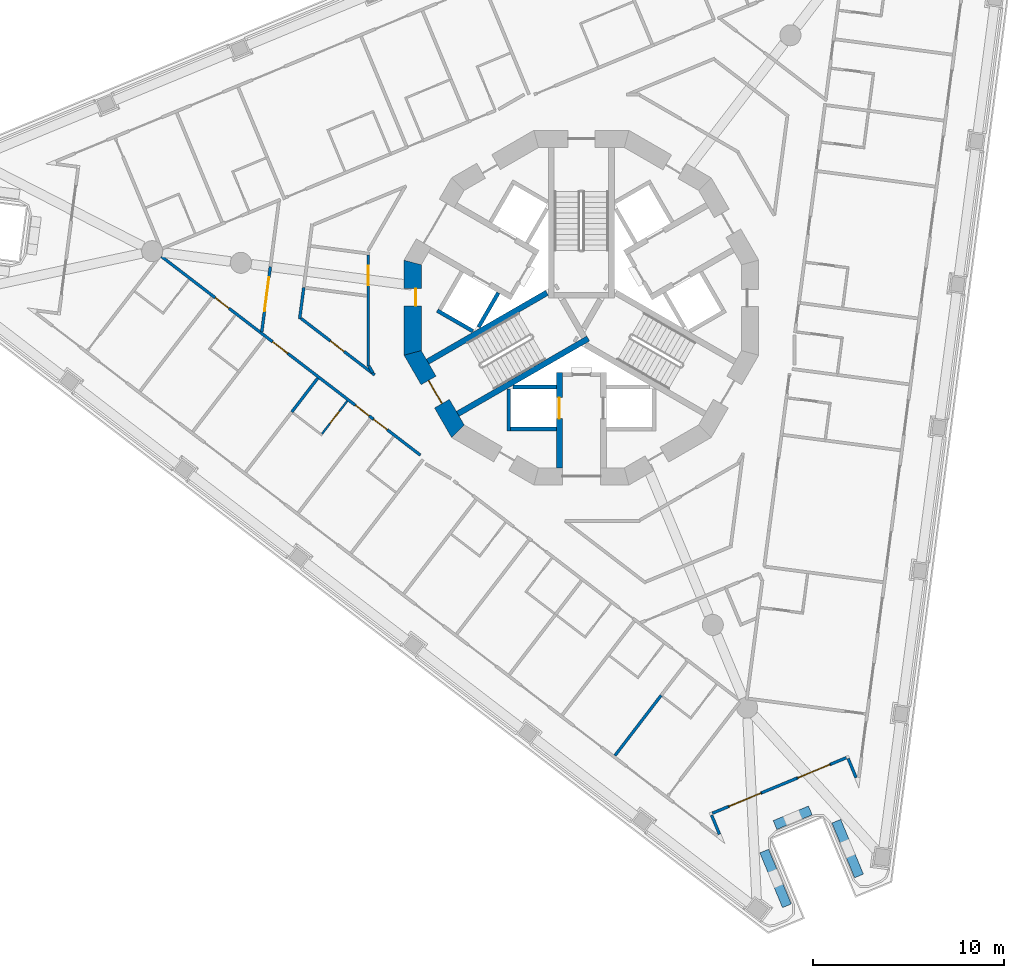
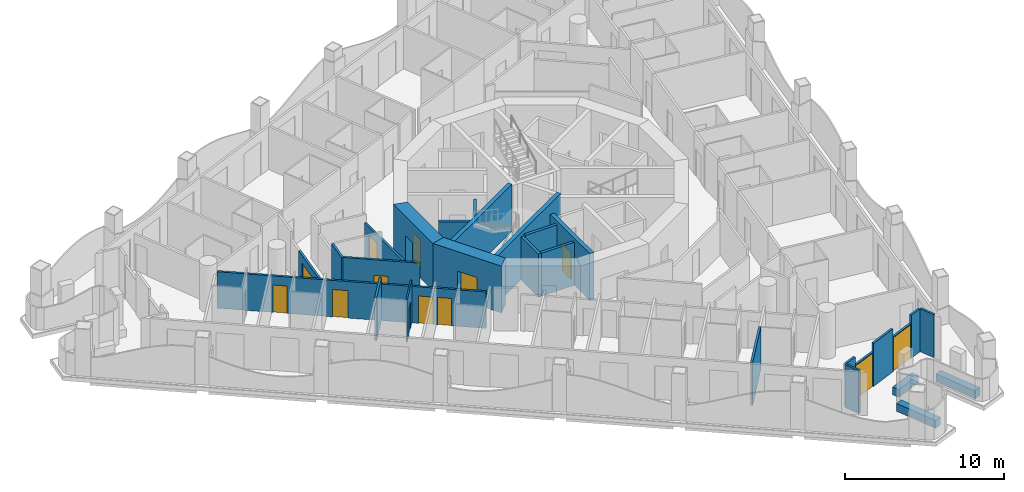
# One storey, part 3 of 17: 29 walls, 13 doors, 13 openings.
"""IFC4 building model written with IfcOpenShell, lengths in metres."""

from ifc_helpers import new_model, si_unit, direction, frame, frame_2d, origin, place, context, subcontext, project, spatial, polyline, rectangle, outline, extrude, material, layer, layer_set, type_object, element, fill, save


model = new_model("IFC4")

# Units and contexts
model_context = context("Model", 3, precision=1e-05, world=origin(), true_north=direction((0.0, 1.0)))
body_context = subcontext(model_context, "Body", "Model", "MODEL_VIEW")
ifc_project = project(units=[si_unit("LENGTHUNIT", "METRE"), si_unit("AREAUNIT", "SQUARE_METRE"), si_unit("VOLUMEUNIT", "CUBIC_METRE"), si_unit("PLANEANGLEUNIT", "RADIAN"), si_unit("MASSUNIT", "GRAM", prefix="KILO")], contexts=[model_context])

# Site, building, storey
site_placement = place(None, origin())
site = spatial("IfcSite", under=ifc_project, at=site_placement, CompositionType="ELEMENT")
building_placement = place(site_placement, origin())
building = spatial("IfcBuilding", under=site, at=building_placement, Name="Trine Commons Tower", CompositionType="ELEMENT")
storey_placement = place(building_placement, frame((0.0, 0.0, 149.39990234375)))
storey = spatial("IfcBuildingStorey", under=building, at=storey_placement, Name="L38", CompositionType="ELEMENT", Elevation=149.39990234375)

# Walls
ifc_material_1 = material(Name="Aluminium-framed insulated wall panel", Category="aluminium")
ifc_layer_1 = layer(ifc_material_1, 0.14990234375)
ifc_layer_set_1 = layer_set([ifc_layer_1], Name="Aluminium-framed insulated wall panel")
wall_type_1 = type_object("IfcWallType", Name="Glazed frame wall 150, EI 60", PredefinedType="SOLIDWALL", material=ifc_layer_set_1)
wall_1_placement = place(storey_placement, frame((94.42041015625, 37.78564453125, 0.0), z_axis=(0.0, 0.0, 1.0), x_axis=(-0.382629665579, 0.923901801611, 0.0)))
element("IfcWall", 1, at=wall_1_placement, inside=storey, type_object=wall_type_1, Name="Glazed frame wall R9", PredefinedType="SOLIDWALL", context=body_context, shape_type="SweptSolid", body=[
    extrude(outline(polyline([(0.1494140625, 0.074951171875), (0.1494140625, -0.074951171875), (1.235107421875, -0.074951171875), (1.235107421875, 0.074951171875), (0.1494140625, 0.074951171875)])), origin(), (0.0, 0.0, 1.0), 3.300048828125),
])
wall_2_placement = place(storey_placement, frame((93.951416015625, 39.009521484375, 0.0), z_axis=(0.0, 0.0, 1.0), x_axis=(-0.923826362943, -0.382811769845, 0.0)))
element("IfcWall", 2, at=wall_2_placement, inside=storey, type_object=wall_type_1, Name="Glazed frame wall P3.1", PredefinedType="SOLIDWALL", context=body_context, shape_type="SweptSolid", body=[
    extrude(outline(polyline([(0.110107421875, -0.074951171875), (1.0, -0.074951171875), (1.0, 0.074951171875), (0.110107421875, 0.074951171875), (0.110107421875, -0.074951171875)])), origin(), (0.0, 0.0, 1.0), 3.300048828125),
])

# Wall, opening, door
wall_3_placement = place(storey_placement, frame((93.027587890625, 38.626708984375, 0.0), z_axis=(0.0, 0.0, 1.0), x_axis=(-0.923888414498, -0.382661988648, 0.0)))
wall_3 = element("IfcWall", 3, at=wall_3_placement, inside=storey, type_object=wall_type_1, Name="Glazed frame wall P3.2", PredefinedType="SOLIDWALL", context=body_context, shape_type="SweptSolid", body=[
    extrude(outline(polyline([(0.0, -0.074951171875), (1.89990234375, -0.074951171875), (1.89990234375, 0.074951171875), (0.0, 0.074951171875), (0.0, -0.074951171875)])), origin(), (0.0, 0.0, 1.0), 2.650146484375),
])
opening_1_placement = place(wall_3_placement, frame((0.050048828125, 0.0, 0.0)))
opening_1 = element("IfcOpeningElement", 4, at=opening_1_placement, cuts=wall_3, Name="Opening BD-4P3-01", PredefinedType="OPENING", context=body_context, shape_type="SweptSolid", body=[
    extrude(rectangle(XDim=1.800048828125, YDim=2.60009765625, at=frame_2d((0.89990234375, 1.300048828125))), frame((0.0, 0.0849609375, 0.0), z_axis=(0.0, -1.0, 0.0), x_axis=(1.0, 0.0, 0.0)), (0.0, 0.0, 1.0), 0.169921875),
])
ifc_material_2 = material(Name="Anodised aluminium frame with double glazing", Category="aluminium")
door_type_1 = type_object("IfcDoorType", Name="Sliding loggia door 1800x2600", OperationType="SLIDING_TO_LEFT", PredefinedType="DOOR", material=ifc_material_2)
door_1_placement = place(opening_1_placement, origin())
door_1 = element("IfcDoor", 5, at=door_1_placement, inside=storey, type_object=door_type_1, Name="Loggia door P3 1", OperationType="SLIDING_TO_LEFT", OverallHeight=2.60009765625, OverallWidth=1.800048828125, PredefinedType="DOOR", context=body_context, shape_type="SweptSolid", body=[
    extrude(rectangle(XDim=1.800048828125, YDim=2.60009765625, at=frame_2d((0.89990234375, 1.300048828125))), frame((0.0, 0.02490234375, 0.0), z_axis=(0.0, -1.0, 0.0), x_axis=(1.0, 0.0, 0.0)), (0.0, 0.0, 1.0), 0.050048828125),
])
fill(opening_1, door_1)

# Wall
wall_4_placement = place(storey_placement, frame((91.272216796875, 37.899658203125, 0.0), z_axis=(0.0, 0.0, 1.0), x_axis=(-0.923887406181, -0.382664423091, 0.0)))
element("IfcWall", 6, at=wall_4_placement, inside=storey, type_object=wall_type_1, Name="Glazed frame wall P3.3", PredefinedType="SOLIDWALL", context=body_context, shape_type="SweptSolid", body=[
    extrude(outline(polyline([(0.0, -0.074951171875), (2.0, -0.074951171875), (2.0, 0.074951171875), (0.0, 0.074951171875), (0.0, -0.074951171875)])), origin(), (0.0, 0.0, 1.0), 3.300048828125),
])

# Wall, opening, door
wall_5_placement = place(storey_placement, frame((89.42431640625, 37.13427734375, 0.0), z_axis=(0.0, 0.0, 1.0), x_axis=(-0.923869595408, -0.382707421773, 0.0)))
wall_5 = element("IfcWall", 7, at=wall_5_placement, inside=storey, type_object=wall_type_1, Name="Glazed frame wall P3.4", PredefinedType="SOLIDWALL", context=body_context, shape_type="SweptSolid", body=[
    extrude(outline(polyline([(0.0, -0.074951171875), (1.89990234375, -0.074951171875), (1.89990234375, 0.074951171875), (0.0, 0.074951171875), (0.0, -0.074951171875)])), origin(), (0.0, 0.0, 1.0), 2.650146484375),
])
opening_2_placement = place(wall_5_placement, frame((0.050048828125, 0.0, 0.0)))
opening_2 = element("IfcOpeningElement", 8, at=opening_2_placement, cuts=wall_5, Name="Opening BD-4P3-02", PredefinedType="OPENING", context=body_context, shape_type="SweptSolid", body=[
    extrude(rectangle(XDim=1.800048828125, YDim=2.60009765625, at=frame_2d((0.89990234375, 1.300048828125))), frame((0.0, 0.0849609375, 0.0), z_axis=(0.0, -1.0, 0.0), x_axis=(1.0, 0.0, 0.0)), (0.0, 0.0, 1.0), 0.169921875),
])
door_2_placement = place(opening_2_placement, origin())
door_2 = element("IfcDoor", 9, at=door_2_placement, inside=storey, type_object=door_type_1, Name="Loggia door P3 2", OperationType="SLIDING_TO_LEFT", OverallHeight=2.60009765625, OverallWidth=1.800048828125, PredefinedType="DOOR", context=body_context, shape_type="SweptSolid", body=[
    extrude(rectangle(XDim=1.800048828125, YDim=2.60009765625, at=frame_2d((0.89990234375, 1.300048828125))), frame((0.0, 0.02490234375, 0.0), z_axis=(0.0, -1.0, 0.0), x_axis=(1.0, 0.0, 0.0)), (0.0, 0.0, 1.0), 0.050048828125),
])
fill(opening_2, door_2)

# Walls
wall_6_placement = place(storey_placement, frame((87.669189453125, 36.4072265625, 0.0), z_axis=(0.0, 0.0, 1.0), x_axis=(-0.923862128325, -0.382725447084, 0.0)))
element("IfcWall", 10, at=wall_6_placement, inside=storey, type_object=wall_type_1, Name="Glazed frame wall P3.5", PredefinedType="SOLIDWALL", context=body_context, shape_type="SweptSolid", body=[
    extrude(outline(polyline([(0.889892578125, 0.074951171875), (0.0, 0.074951171875), (0.0, -0.074951171875), (0.889892578125, -0.074951171875), (0.889892578125, 0.074951171875)])), origin(), (0.0, 0.0, 1.0), 3.300048828125),
])
wall_7_placement = place(storey_placement, frame((86.76416015625, 36.0703125, 0.0), z_axis=(0.0, 0.0, 1.0), x_axis=(0.382629665579, -0.923901801611, 0.0)))
element("IfcWall", 11, at=wall_7_placement, inside=storey, type_object=wall_type_1, Name="Glazed frame wall R11", PredefinedType="SOLIDWALL", context=body_context, shape_type="SweptSolid", body=[
    extrude(outline(polyline([(0.110107421875, 0.074951171875), (0.110107421875, -0.074951171875), (1.19580078125, -0.074951171875), (1.19580078125, 0.074951171875), (0.110107421875, 0.074951171875)])), origin(), (0.0, 0.0, 1.0), 3.300048828125),
])
ifc_material_3 = material(Name="Planter trough, precast concrete C40/50", Category="concrete")
ifc_layer_2 = layer(ifc_material_3, 0.5)
ifc_layer_set_2 = layer_set([ifc_layer_2], Name="Planter trough, precast concrete C40/50")
wall_type_2 = type_object("IfcWallType", Name="Planter trough 500x600", PredefinedType="PARAPET", material=ifc_layer_set_2)
wall_8_placement = place(storey_placement, frame((94.515625, 32.78662109375, 0.0), z_axis=(0.0, 0.0, 1.0), x_axis=(-0.382674068277, 0.923883411188, 0.0)))
element("IfcWall", 12, at=wall_8_placement, inside=storey, type_object=wall_type_2, Name="Planter 7", PredefinedType="PARAPET", context=body_context, shape_type="SweptSolid", body=[
    extrude(rectangle(XDim=3.099853515625, YDim=0.5, at=frame_2d((1.5498046875, 0.0))), origin(), (0.0, 0.0, 1.0), 0.60009765625),
])
wall_9_placement = place(storey_placement, frame((91.970703125, 36.21337890625, 0.0), z_axis=(0.0, 0.0, 1.0), x_axis=(-0.923930555985, -0.382560227567, 0.0)))
element("IfcWall", 13, at=wall_9_placement, inside=storey, type_object=wall_type_2, Name="Planter 8", PredefinedType="PARAPET", context=body_context, shape_type="SweptSolid", body=[
    extrude(rectangle(XDim=2.0, YDim=0.5, at=frame_2d((1.0, 0.0))), origin(), (0.0, 0.0, 1.0), 0.60009765625),
])
wall_10_placement = place(storey_placement, frame((89.56005859375, 34.08935546875, 0.0), z_axis=(0.0, 0.0, 1.0), x_axis=(0.382674068277, -0.923883411188, 0.0)))
element("IfcWall", 14, at=wall_10_placement, inside=storey, type_object=wall_type_2, Name="Planter 9", PredefinedType="PARAPET", context=body_context, shape_type="SweptSolid", body=[
    extrude(rectangle(XDim=3.099853515625, YDim=0.5, at=frame_2d((1.5498046875, 0.0))), origin(), (0.0, 0.0, 1.0), 0.60009765625),
])

# Wall, opening, door
ifc_material_4 = material(Name="Concrete C70/85", Category="concrete")
ifc_layer_3 = layer(ifc_material_4, 0.300048828125)
ifc_layer_set_3 = layer_set([ifc_layer_3], Name="Concrete C70/85")
wall_type_3 = type_object("IfcWallType", Name="RC shear wall 300 mm, C70/85", PredefinedType="SHEAR", material=ifc_layer_set_3)
wall_11_placement = place(storey_placement, frame((78.85009765625, 59.10009765625, 0.0), z_axis=(0.0, 0.0, 1.0), x_axis=(0.0, -1.0, 0.0)))
wall_11 = element("IfcWall", 15, at=wall_11_placement, inside=storey, type_object=wall_type_3, Name="Core cross wall SWB-03 L38", PredefinedType="SHEAR", context=body_context, shape_type="SweptSolid", body=[
    extrude(rectangle(XDim=4.97314453125, YDim=0.300048828125, at=frame_2d((2.486572265625, 0.0))), origin(), (0.0, 0.0, 1.0), 3.60009765625),
])
opening_3_placement = place(wall_11_placement, frame((1.300048828125, 0.0, 0.0)))
opening_3 = element("IfcOpeningElement", 16, at=opening_3_placement, cuts=wall_11, Name="Opening LD10", PredefinedType="OPENING", context=body_context, shape_type="SweptSolid", body=[
    extrude(rectangle(XDim=1.10009765625, YDim=2.10009765625, at=frame_2d((0.550048828125, 1.050048828125))), frame((0.0, 0.159912109375, 0.0), z_axis=(0.0, -1.0, 0.0), x_axis=(1.0, 0.0, 0.0)), (0.0, 0.0, 1.0), 0.320068359375),
])
ifc_material_5 = material(Name="Stainless steel sliding door leaves", Category="steel")
door_type_2 = type_object("IfcDoorType", Name="Lift landing door, centre-opening sliding 1100 x 2100, FD90", OperationType="DOUBLE_DOOR_SLIDING", PredefinedType="DOOR", material=ifc_material_5)
door_3_placement = place(opening_3_placement, origin())
door_3 = element("IfcDoor", 17, at=door_3_placement, inside=storey, type_object=door_type_2, Name="Lift landing door FF2 L38", OperationType="DOUBLE_DOOR_SLIDING", OverallHeight=2.10009765625, OverallWidth=1.10009765625, PredefinedType="DOOR", context=body_context, shape_type="SweptSolid", body=[
    extrude(rectangle(XDim=1.10009765625, YDim=2.10009765625, at=frame_2d((0.550048828125, 1.050048828125))), frame((0.0, 0.02490234375, 0.0), z_axis=(0.0, -1.0, 0.0), x_axis=(1.0, 0.0, 0.0)), (0.0, 0.0, 1.0), 0.050048828125),
])
fill(opening_3, door_3)

# Walls
wall_12_placement = place(storey_placement, frame((78.199951171875, 63.280029296875, 0.0), z_axis=(0.0, 0.0, 1.0), x_axis=(-0.866028135082, -0.499995269223, 0.0)))
element("IfcWall", 18, at=wall_12_placement, inside=storey, type_object=wall_type_3, Name="Core cross wall SWB-07 L38", PredefinedType="SHEAR", context=body_context, shape_type="SweptSolid", body=[
    extrude(rectangle(XDim=7.2041015625, YDim=0.300048828125, at=frame_2d((3.60205078125, 0.0))), origin(), (0.0, 0.0, 1.0), 3.60009765625),
])
wall_13_placement = place(storey_placement, frame((80.35400390625, 60.885986328125, 0.0), z_axis=(0.0, 0.0, 1.0), x_axis=(-0.866047706748, -0.499961368145, 0.0)))
element("IfcWall", 19, at=wall_13_placement, inside=storey, type_object=wall_type_3, Name="Core cross wall SWB-14 L38", PredefinedType="SHEAR", context=body_context, shape_type="SweptSolid", body=[
    extrude(rectangle(XDim=7.87255859375, YDim=0.300048828125, at=frame_2d((3.936279296875, 0.0))), origin(), (0.0, 0.0, 1.0), 3.60009765625),
])

# Wall, opening, door
ifc_layer_4 = layer(ifc_material_4, 0.89990234375)
ifc_layer_set_4 = layer_set([ifc_layer_4], Name="Concrete C70/85")
wall_type_4 = type_object("IfcWallType", Name="RC shear wall 900 mm, C70/85", PredefinedType="SHEAR", material=ifc_layer_set_4)
wall_14_placement = place(storey_placement, frame((71.177001953125, 64.984619140625, 0.0), z_axis=(0.0, 0.0, 1.0), x_axis=(0.0, -1.0, 0.0)))
wall_14 = element("IfcWall", 20, at=wall_14_placement, inside=storey, type_object=wall_type_4, Name="Core wall CWD-07 L38", PredefinedType="SHEAR", context=body_context, shape_type="SweptSolid", body=[
    extrude(outline(polyline([(0.0, -0.449951171875), (4.969482421875, -0.449951171875), (4.728271484375, 0.449951171875), (0.2412109375, 0.449951171875), (0.0, -0.449951171875)])), origin(), (0.0, 0.0, 1.0), 3.60009765625),
])
opening_4_placement = place(wall_14_placement, frame((1.49365234375, 0.0, 0.0)))
opening_4 = element("IfcOpeningElement", 21, at=opening_4_placement, cuts=wall_14, Name="Opening K09.13", PredefinedType="OPENING", context=body_context, shape_type="SweptSolid", body=[
    extrude(rectangle(XDim=0.89990234375, YDim=2.10009765625, at=frame_2d((0.449951171875, 1.050048828125))), frame((0.0, 0.4599609375, 0.0), z_axis=(0.0, -1.0, 0.0), x_axis=(1.0, 0.0, 0.0)), (0.0, 0.0, 1.0), 0.919921875),
])
ifc_material_6 = material(Name="Steel door leaf, fire-rated", Category="steel")
door_type_3 = type_object("IfcDoorType", Name="Core room door, single leaf 900 x 2100, FD30S", OperationType="SINGLE_SWING_LEFT", PredefinedType="DOOR", material=ifc_material_6)
door_4_placement = place(opening_4_placement, origin())
door_4 = element("IfcDoor", 22, at=door_4_placement, inside=storey, type_object=door_type_3, Name="Door to Parcel store L38", OperationType="SINGLE_SWING_LEFT", OverallHeight=2.10009765625, OverallWidth=0.89990234375, PredefinedType="DOOR", context=body_context, shape_type="SweptSolid", body=[
    extrude(rectangle(XDim=0.89990234375, YDim=2.10009765625, at=frame_2d((0.449951171875, 1.050048828125))), frame((0.0, 0.1748046875, 0.0), z_axis=(0.0, -1.0, 0.0), x_axis=(1.0, 0.0, 0.0)), (0.0, 0.0, 1.0), 0.050048828125),
])
fill(opening_4, door_4)

wall_15_placement = place(storey_placement, frame((71.11669921875, 60.240234375, 0.0), z_axis=(0.0, 0.0, 1.0), x_axis=(0.500038571144, -0.866003133579, 0.0)))
wall_15 = element("IfcWall", 23, at=wall_15_placement, inside=storey, type_object=wall_type_4, Name="Core wall CWD-08 L38", PredefinedType="SHEAR", context=body_context, shape_type="SweptSolid", body=[
    extrude(outline(polyline([(0.0, -0.449951171875), (4.96923828125, -0.449951171875), (4.72802734375, 0.449951171875), (0.2412109375, 0.449951171875), (0.0, -0.449951171875)])), origin(), (0.0, 0.0, 1.0), 3.60009765625),
])
opening_5_placement = place(wall_15_placement, frame((1.78466796875, 0.0, 0.0)))
opening_5 = element("IfcOpeningElement", 24, at=opening_5_placement, cuts=wall_15, Name="Opening K09.02", PredefinedType="OPENING", context=body_context, shape_type="SweptSolid", body=[
    extrude(rectangle(XDim=1.39990234375, YDim=2.10009765625, at=frame_2d((0.699951171875, 1.050048828125))), frame((0.0, 0.4599609375, 0.0), z_axis=(0.0, -1.0, 0.0), x_axis=(1.0, 0.0, 0.0)), (0.0, 0.0, 1.0), 0.919921875),
])
ifc_material_7 = material(Name="Steel door leaves, fire-rated", Category="steel")
door_type_4 = type_object("IfcDoorType", Name="Stair door, double leaf 1400 x 2100, FD90", OperationType="DOUBLE_DOOR_SINGLE_SWING", PredefinedType="DOOR", material=ifc_material_7)
door_5_placement = place(opening_5_placement, origin())
door_5 = element("IfcDoor", 25, at=door_5_placement, inside=storey, type_object=door_type_4, Name="Stair door to Exit stair ST2B L38", OperationType="DOUBLE_DOOR_SINGLE_SWING", OverallHeight=2.10009765625, OverallWidth=1.39990234375, PredefinedType="DOOR", context=body_context, shape_type="SweptSolid", body=[
    extrude(rectangle(XDim=1.39990234375, YDim=2.10009765625, at=frame_2d((0.699951171875, 1.050048828125))), frame((0.0, 0.02490234375, 0.0), z_axis=(0.0, -1.0, 0.0), x_axis=(1.0, 0.0, 0.0)), (0.0, 0.0, 1.0), 0.050048828125),
])
fill(opening_5, door_5)

# Walls
ifc_material_8 = material(Name="Fire-rated gypsum shaft wall system")
ifc_layer_5 = layer(ifc_material_8, 0.199951171875)
ifc_layer_set_5 = layer_set([ifc_layer_5], Name="Fire-rated gypsum shaft wall system")
wall_type_5 = type_object("IfcWallType", Name="Shaft wall 200 mm, EI 120", PredefinedType="PARTITIONING", material=ifc_layer_set_5)
wall_16_placement = place(storey_placement, frame((74.324951171875, 61.27392578125, 0.0), z_axis=(0.0, 0.0, 1.0), x_axis=(-0.866102336459, 0.499866725018, 0.0)))
element("IfcWall", 26, at=wall_16_placement, inside=storey, type_object=wall_type_5, Name="Shaft wall L38", PredefinedType="PARTITIONING", context=body_context, shape_type="SweptSolid", body=[
    extrude(rectangle(XDim=2.1484375, YDim=0.199951171875, at=frame_2d((1.07421875, 0.0))), origin(), (0.0, 0.0, 1.0), 3.300048828125),
])
wall_17_placement = place(storey_placement, frame((75.656005859375, 63.27587890625, 0.0), z_axis=(0.0, 0.0, 1.0), x_axis=(-0.500271688072, -0.86586848777, 0.0)))
element("IfcWall", 27, at=wall_17_placement, inside=storey, type_object=wall_type_5, Name="Shaft wall L38", PredefinedType="PARTITIONING", context=body_context, shape_type="SweptSolid", body=[
    extrude(rectangle(XDim=2.064697265625, YDim=0.199951171875, at=frame_2d((1.0322265625, 0.0))), origin(), (0.0, 0.0, 1.0), 3.300048828125),
])
wall_18_placement = place(storey_placement, frame((76.199951171875, 58.257080078125, 0.0), z_axis=(0.0, 0.0, 1.0), x_axis=(0.0, -1.0, 0.0)))
element("IfcWall", 28, at=wall_18_placement, inside=storey, type_object=wall_type_5, Name="Shaft wall L38", PredefinedType="PARTITIONING", context=body_context, shape_type="SweptSolid", body=[
    extrude(rectangle(XDim=2.20703125, YDim=0.199951171875, at=frame_2d((1.103515625, 0.0))), origin(), (0.0, 0.0, 1.0), 3.300048828125),
])
wall_19_placement = place(storey_placement, frame((78.699951171875, 56.14990234375, 0.0), z_axis=(0.0, 0.0, 1.0), x_axis=(-1.0, 0.0, 0.0)))
element("IfcWall", 29, at=wall_19_placement, inside=storey, type_object=wall_type_5, Name="Shaft wall L38", PredefinedType="PARTITIONING", context=body_context, shape_type="SweptSolid", body=[
    extrude(rectangle(XDim=2.39990234375, YDim=0.199951171875, at=frame_2d((1.199951171875, 0.0))), origin(), (0.0, 0.0, 1.0), 3.300048828125),
])
wall_20_placement = place(storey_placement, frame((78.699951171875, 58.35009765625, 0.0), z_axis=(0.0, 0.0, 1.0), x_axis=(-1.0, 0.0, 0.0)))
element("IfcWall", 30, at=wall_20_placement, inside=storey, type_object=wall_type_5, Name="Shaft wall L38", PredefinedType="PARTITIONING", context=body_context, shape_type="SweptSolid", body=[
    extrude(rectangle(XDim=2.264892578125, YDim=0.199951171875, at=frame_2d((1.13232421875, 0.0))), origin(), (0.0, 0.0, 1.0), 3.300048828125),
])

# Wall, openings, doors
ifc_material_9 = material(Name="Gypsum plasterboard on steel stud", Category="steel")
ifc_layer_6 = layer(ifc_material_9, 0.14990234375)
ifc_layer_set_6 = layer_set([ifc_layer_6], Name="Gypsum plasterboard on steel stud")
wall_type_6 = type_object("IfcWallType", Name="Unit and corridor wall 150 mm, EI 60", PredefinedType="PARTITIONING", material=ifc_layer_set_6)
wall_21_placement = place(storey_placement, frame((58.04150390625, 65.17626953125, 0.0), z_axis=(0.0, 0.0, 1.0), x_axis=(0.793390311924, -0.608713243609, 0.0)))
wall_21 = element("IfcWall", 31, at=wall_21_placement, inside=storey, type_object=wall_type_6, Name="Partition 006", PredefinedType="PARTITIONING", context=body_context, shape_type="SweptSolid", body=[
    extrude(rectangle(XDim=17.064208984375, YDim=0.14990234375, at=frame_2d((8.5322265625, 0.0))), origin(), (0.0, 0.0, 1.0), 2.800048828125),
])
opening_6_placement = place(wall_21_placement, frame((13.98388671875, 0.0, 0.0)))
opening_6 = element("IfcOpeningElement", 32, at=opening_6_placement, cuts=wall_21, Name="Opening D-4C28", PredefinedType="OPENING", context=body_context, shape_type="SweptSolid", body=[
    extrude(rectangle(XDim=0.89990234375, YDim=2.10009765625, at=frame_2d((0.449951171875, 1.050048828125))), frame((0.0, 0.0849609375, 0.0), z_axis=(0.0, -1.0, 0.0), x_axis=(1.0, 0.0, 0.0)), (0.0, 0.0, 1.0), 0.169921875),
])
opening_7_placement = place(wall_21_placement, frame((12.7841796875, 0.0, 0.0)))
opening_7 = element("IfcOpeningElement", 33, at=opening_7_placement, cuts=wall_21, Name="Opening D-4C29", PredefinedType="OPENING", context=body_context, shape_type="SweptSolid", body=[
    extrude(rectangle(XDim=0.89990234375, YDim=2.10009765625, at=frame_2d((0.449951171875, 1.050048828125))), frame((0.0, 0.0849609375, 0.0), z_axis=(0.0, -1.0, 0.0), x_axis=(1.0, 0.0, 0.0)), (0.0, 0.0, 1.0), 0.169921875),
])
opening_8_placement = place(wall_21_placement, frame((7.32177734375, 0.0, 0.0)))
opening_8 = element("IfcOpeningElement", 34, at=opening_8_placement, cuts=wall_21, Name="Opening D-4C30", PredefinedType="OPENING", context=body_context, shape_type="SweptSolid", body=[
    extrude(rectangle(XDim=1.0, YDim=2.10009765625, at=frame_2d((0.5, 1.050048828125))), frame((0.0, 0.0849609375, 0.0), z_axis=(0.0, -1.0, 0.0), x_axis=(1.0, 0.0, 0.0)), (0.0, 0.0, 1.0), 0.169921875),
])
opening_9_placement = place(wall_21_placement, frame((3.55126953125, 0.0, 0.0)))
opening_9 = element("IfcOpeningElement", 35, at=opening_9_placement, cuts=wall_21, Name="Opening D-4C31", PredefinedType="OPENING", context=body_context, shape_type="SweptSolid", body=[
    extrude(rectangle(XDim=0.89990234375, YDim=2.10009765625, at=frame_2d((0.449951171875, 1.050048828125))), frame((0.0, 0.0849609375, 0.0), z_axis=(0.0, -1.0, 0.0), x_axis=(1.0, 0.0, 0.0)), (0.0, 0.0, 1.0), 0.169921875),
])
ifc_material_10 = material(Name="Painted timber", Category="wood")
door_type_5 = type_object("IfcDoorType", Name="Amenity room door 1000 x 2100, NOT RATED", OperationType="NOTDEFINED", PredefinedType="DOOR", material=ifc_material_10)
door_6_placement = place(opening_8_placement, frame((1.0, 0.0, 0.0), z_axis=(0.0, 0.0, 1.0), x_axis=(-1.0, 0.0, 0.0)))
door_6 = element("IfcDoor", 36, at=door_6_placement, inside=storey, type_object=door_type_5, Name="Door D-4C30", OperationType="SINGLE_SWING_RIGHT", OverallHeight=2.10009765625, OverallWidth=1.0, PredefinedType="DOOR", context=body_context, shape_type="SweptSolid", body=[
    extrude(rectangle(XDim=1.0, YDim=2.10009765625, at=frame_2d((0.5, 1.050048828125))), frame((0.0, 0.02490234375, 0.0), z_axis=(0.0, -1.0, 0.0), x_axis=(1.0, 0.0, 0.0)), (0.0, 0.0, 1.0), 0.050048828125),
])
fill(opening_8, door_6)
ifc_material_11 = material(Name="Timber fire door set", Category="wood")
door_type_6 = type_object("IfcDoorType", Name="Bedroom door 900 x 2100, FD30S", OperationType="NOTDEFINED", PredefinedType="DOOR", material=ifc_material_11)
door_7_placement = place(opening_6_placement, frame((0.89990234375, 0.0, 0.0), z_axis=(0.0, 0.0, 1.0), x_axis=(-1.0, 0.0, 0.0)))
door_7 = element("IfcDoor", 37, at=door_7_placement, inside=storey, type_object=door_type_6, Name="Door D-4C28", OperationType="SINGLE_SWING_LEFT", OverallHeight=2.10009765625, OverallWidth=0.89990234375, PredefinedType="DOOR", context=body_context, shape_type="SweptSolid", body=[
    extrude(rectangle(XDim=0.89990234375, YDim=2.10009765625, at=frame_2d((0.449951171875, 1.050048828125))), frame((0.0, 0.02490234375, 0.0), z_axis=(0.0, -1.0, 0.0), x_axis=(1.0, 0.0, 0.0)), (0.0, 0.0, 1.0), 0.050048828125),
])
fill(opening_6, door_7)
door_8_placement = place(opening_7_placement, frame((0.89990234375, 0.0, 0.0), z_axis=(0.0, 0.0, 1.0), x_axis=(-1.0, 0.0, 0.0)))
door_8 = element("IfcDoor", 38, at=door_8_placement, inside=storey, type_object=door_type_6, Name="Door D-4C29", OperationType="SINGLE_SWING_LEFT", OverallHeight=2.10009765625, OverallWidth=0.89990234375, PredefinedType="DOOR", context=body_context, shape_type="SweptSolid", body=[
    extrude(rectangle(XDim=0.89990234375, YDim=2.10009765625, at=frame_2d((0.449951171875, 1.050048828125))), frame((0.0, 0.02490234375, 0.0), z_axis=(0.0, -1.0, 0.0), x_axis=(1.0, 0.0, 0.0)), (0.0, 0.0, 1.0), 0.050048828125),
])
fill(opening_7, door_8)
door_9_placement = place(opening_9_placement, frame((0.89990234375, 0.0, 0.0), z_axis=(0.0, 0.0, 1.0), x_axis=(-1.0, 0.0, 0.0)))
door_9 = element("IfcDoor", 39, at=door_9_placement, inside=storey, type_object=door_type_6, Name="Door D-4C31", OperationType="SINGLE_SWING_RIGHT", OverallHeight=2.10009765625, OverallWidth=0.89990234375, PredefinedType="DOOR", context=body_context, shape_type="SweptSolid", body=[
    extrude(rectangle(XDim=0.89990234375, YDim=2.10009765625, at=frame_2d((0.449951171875, 1.050048828125))), frame((0.0, 0.02490234375, 0.0), z_axis=(0.0, -1.0, 0.0), x_axis=(1.0, 0.0, 0.0)), (0.0, 0.0, 1.0), 0.050048828125),
])
fill(opening_9, door_9)

# Wall, opening, door
wall_22_placement = place(storey_placement, frame((63.286865234375, 61.2333984375, 0.0), z_axis=(0.0, 0.0, 1.0), x_axis=(0.130693367383, 0.991422838007, 0.0)))
wall_22 = element("IfcWall", 40, at=wall_22_placement, inside=storey, type_object=wall_type_6, Name="Partition 020", PredefinedType="PARTITIONING", context=body_context, shape_type="SweptSolid", body=[
    extrude(rectangle(XDim=3.437255859375, YDim=0.14990234375, at=frame_2d((1.71875, 0.0))), origin(), (0.0, 0.0, 1.0), 2.7001953125),
])
opening_10_placement = place(wall_22_placement, frame((1.0859375, 0.0, 0.0)))
opening_10 = element("IfcOpeningElement", 41, at=opening_10_placement, cuts=wall_22, Name="Opening D-4C03", PredefinedType="OPENING", context=body_context, shape_type="SweptSolid", body=[
    extrude(rectangle(XDim=1.800048828125, YDim=2.10009765625, at=frame_2d((0.89990234375, 1.050048828125))), frame((0.0, 0.0849609375, 0.0), z_axis=(0.0, -1.0, 0.0), x_axis=(1.0, 0.0, 0.0)), (0.0, 0.0, 1.0), 0.169921875),
])
door_type_7 = type_object("IfcDoorType", Name="Cluster entrance door 1800 x 2100, double leaf, FD30S", OperationType="DOUBLE_DOOR_DOUBLE_SWING", PredefinedType="DOOR", material=ifc_material_11)
door_10_placement = place(opening_10_placement, origin())
door_10 = element("IfcDoor", 42, at=door_10_placement, inside=storey, type_object=door_type_7, Name="Door D-4C03", OperationType="DOUBLE_DOOR_DOUBLE_SWING", OverallHeight=2.10009765625, OverallWidth=1.800048828125, PredefinedType="DOOR", context=body_context, shape_type="SweptSolid", body=[
    extrude(rectangle(XDim=1.800048828125, YDim=2.10009765625, at=frame_2d((0.89990234375, 1.050048828125))), frame((0.0, 0.02490234375, 0.0), z_axis=(0.0, -1.0, 0.0), x_axis=(1.0, 0.0, 0.0)), (0.0, 0.0, 1.0), 0.050048828125),
])
fill(opening_10, door_10)

# Walls
wall_23_placement = place(storey_placement, frame((64.85791015625, 57.047119140625, 0.0), z_axis=(0.0, 0.0, 1.0), x_axis=(0.608724036588, 0.793382031105, 0.0)))
element("IfcWall", 43, at=wall_23_placement, inside=storey, type_object=wall_type_6, Name="Partition 025", PredefinedType="PARTITIONING", context=body_context, shape_type="SweptSolid", body=[
    extrude(rectangle(XDim=2.22509765625, YDim=0.14990234375, at=frame_2d((1.112548828125, 0.0))), origin(), (0.0, 0.0, 1.0), 3.300048828125),
])
wall_24_placement = place(storey_placement, frame((65.26708984375, 61.91259765625, 0.0), z_axis=(0.0, 0.0, 1.0), x_axis=(0.130621934677, 0.991432251937, 0.0)))
element("IfcWall", 44, at=wall_24_placement, inside=storey, type_object=wall_type_6, Name="Partition 028", PredefinedType="PARTITIONING", context=body_context, shape_type="SweptSolid", body=[
    extrude(rectangle(XDim=1.65966796875, YDim=0.14990234375, at=frame_2d((0.829833984375, 0.0))), origin(), (0.0, 0.0, 1.0), 3.300048828125),
])

# Wall, opening, door
wall_25_placement = place(storey_placement, frame((65.33642578125, 61.94140625, 0.0), z_axis=(0.0, 0.0, 1.0), x_axis=(0.79340079326, -0.608699582105, 0.0)))
wall_25 = element("IfcWall", 45, at=wall_25_placement, inside=storey, type_object=wall_type_6, Name="Partition 029", PredefinedType="PARTITIONING", context=body_context, shape_type="SweptSolid", body=[
    extrude(rectangle(XDim=4.8564453125, YDim=0.14990234375, at=frame_2d((2.42822265625, 0.0))), origin(), (0.0, 0.0, 1.0), 3.300048828125),
])
opening_11_placement = place(wall_25_placement, frame((1.940185546875, 0.0, 0.0)))
opening_11 = element("IfcOpeningElement", 46, at=opening_11_placement, cuts=wall_25, Name="Opening D-4C35", PredefinedType="OPENING", context=body_context, shape_type="SweptSolid", body=[
    extrude(rectangle(XDim=0.89990234375, YDim=2.10009765625, at=frame_2d((0.449951171875, 1.050048828125))), frame((0.0, 0.0849609375, 0.0), z_axis=(0.0, -1.0, 0.0), x_axis=(1.0, 0.0, 0.0)), (0.0, 0.0, 1.0), 0.169921875),
])
door_type_8 = type_object("IfcDoorType", Name="Service door 900 x 2100, FD30S", OperationType="NOTDEFINED", PredefinedType="DOOR", material=ifc_material_11)
door_11_placement = place(opening_11_placement, origin())
door_11 = element("IfcDoor", 47, at=door_11_placement, inside=storey, type_object=door_type_8, Name="Door D-4C35", OperationType="SINGLE_SWING_LEFT", OverallHeight=2.10009765625, OverallWidth=0.89990234375, PredefinedType="DOOR", context=body_context, shape_type="SweptSolid", body=[
    extrude(rectangle(XDim=0.89990234375, YDim=2.10009765625, at=frame_2d((0.449951171875, 1.050048828125))), frame((0.0, 0.02490234375, 0.0), z_axis=(0.0, -1.0, 0.0), x_axis=(1.0, 0.0, 0.0)), (0.0, 0.0, 1.0), 0.050048828125),
])
fill(opening_11, door_11)

wall_26_placement = place(storey_placement, frame((68.85205078125, 59.43798828125, 0.0), z_axis=(0.0, 0.0, 1.0), x_axis=(0.0, 1.0, 0.0)))
wall_26 = element("IfcWall", 48, at=wall_26_placement, inside=storey, type_object=wall_type_6, Name="Partition 042", PredefinedType="PARTITIONING", context=body_context, shape_type="SweptSolid", body=[
    extrude(rectangle(XDim=5.820068359375, YDim=0.14990234375, at=frame_2d((2.91015625, 0.0))), origin(), (0.0, 0.0, 1.0), 2.7001953125),
])
opening_12_placement = place(wall_26_placement, frame((4.24609375, 0.0, 0.0)))
opening_12 = element("IfcOpeningElement", 49, at=opening_12_placement, cuts=wall_26, Name="Opening D-4C37", PredefinedType="OPENING", context=body_context, shape_type="SweptSolid", body=[
    extrude(rectangle(XDim=1.0, YDim=2.10009765625, at=frame_2d((0.5, 1.050048828125))), frame((0.0, 0.0849609375, 0.0), z_axis=(0.0, -1.0, 0.0), x_axis=(1.0, 0.0, 0.0)), (0.0, 0.0, 1.0), 0.169921875),
])
door_type_9 = type_object("IfcDoorType", Name="Toilet door 1000 x 2100, NOT RATED", OperationType="NOTDEFINED", PredefinedType="DOOR", material=ifc_material_10)
door_12_placement = place(opening_12_placement, origin())
door_12 = element("IfcDoor", 50, at=door_12_placement, inside=storey, type_object=door_type_9, Name="Door D-4C37", OperationType="SINGLE_SWING_RIGHT", OverallHeight=2.10009765625, OverallWidth=1.0, PredefinedType="DOOR", context=body_context, shape_type="SweptSolid", body=[
    extrude(rectangle(XDim=1.0, YDim=2.10009765625, at=frame_2d((0.5, 1.050048828125))), frame((0.0, 0.02490234375, 0.0), z_axis=(0.0, -1.0, 0.0), x_axis=(1.0, 0.0, 0.0)), (0.0, 0.0, 1.0), 0.050048828125),
])
fill(opening_12, door_12)

# Walls
wall_27_placement = place(storey_placement, frame((68.889404296875, 59.447998046875, 0.0), z_axis=(0.0, 0.0, 1.0), x_axis=(0.499481060725, -0.866324806281, 0.0)))
element("IfcWall", 51, at=wall_27_placement, inside=storey, type_object=wall_type_6, Name="Partition 043", PredefinedType="PARTITIONING", context=body_context, shape_type="SweptSolid", body=[
    extrude(rectangle(XDim=0.40869140625, YDim=0.14990234375, at=frame_2d((0.204345703125, 0.0))), origin(), (0.0, 0.0, 1.0), 3.300048828125),
])
wall_28_placement = place(storey_placement, frame((81.75341796875, 39.07958984375, 0.0), z_axis=(0.0, 0.0, 1.0), x_axis=(0.608586492439, 0.793487543204, 0.0)))
element("IfcWall", 52, at=wall_28_placement, inside=storey, type_object=wall_type_6, Name="Partition 079", PredefinedType="PARTITIONING", context=body_context, shape_type="SweptSolid", body=[
    extrude(rectangle(XDim=3.968994140625, YDim=0.14990234375, at=frame_2d((1.984375, 0.0))), origin(), (0.0, 0.0, 1.0), 3.300048828125),
])

# Wall, opening, door
ifc_layer_7 = layer(ifc_material_9, 0.10009765625)
ifc_layer_set_7 = layer_set([ifc_layer_7], Name="Gypsum plasterboard on steel stud")
wall_type_7 = type_object("IfcWallType", Name="Unit partition 100 mm, no rating", PredefinedType="PARTITIONING", material=ifc_layer_set_7)
wall_29_placement = place(storey_placement, frame((66.435302734375, 55.899658203125, 0.0), z_axis=(0.0, 0.0, 1.0), x_axis=(0.608744865415, 0.793366049709, 0.0)))
wall_29 = element("IfcWall", 53, at=wall_29_placement, inside=storey, type_object=wall_type_7, Name="Partition 035", PredefinedType="PARTITIONING", context=body_context, shape_type="SweptSolid", body=[
    extrude(rectangle(XDim=2.17529296875, YDim=0.10009765625, at=frame_2d((1.087646484375, 0.0))), origin(), (0.0, 0.0, 1.0), 3.300048828125),
])
opening_13_placement = place(wall_29_placement, frame((0.6875, 0.0, 0.0)))
opening_13 = element("IfcOpeningElement", 54, at=opening_13_placement, cuts=wall_29, Name="Opening D-4C59", PredefinedType="OPENING", context=body_context, shape_type="SweptSolid", body=[
    extrude(rectangle(XDim=0.800048828125, YDim=2.10009765625, at=frame_2d((0.39990234375, 1.050048828125))), frame((0.0, 0.06005859375, 0.0), z_axis=(0.0, -1.0, 0.0), x_axis=(1.0, 0.0, 0.0)), (0.0, 0.0, 1.0), 0.1201171875),
])
door_type_10 = type_object("IfcDoorType", Name="Internal door 800 x 2100, NOT RATED", OperationType="NOTDEFINED", PredefinedType="DOOR", material=ifc_material_10)
door_13_placement = place(opening_13_placement, frame((0.800048828125, 0.0, 0.0), z_axis=(0.0, 0.0, 1.0), x_axis=(-1.0, 0.0, 0.0)))
door_13 = element("IfcDoor", 55, at=door_13_placement, inside=storey, type_object=door_type_10, Name="Door D-4C59", OperationType="SINGLE_SWING_LEFT", OverallHeight=2.10009765625, OverallWidth=0.800048828125, PredefinedType="DOOR", context=body_context, shape_type="SweptSolid", body=[
    extrude(rectangle(XDim=0.800048828125, YDim=2.10009765625, at=frame_2d((0.39990234375, 1.050048828125))), frame((0.0, 0.02490234375, 0.0), z_axis=(0.0, -1.0, 0.0), x_axis=(1.0, 0.0, 0.0)), (0.0, 0.0, 1.0), 0.050048828125),
])
fill(opening_13, door_13)

save(model, "model.ifc")
